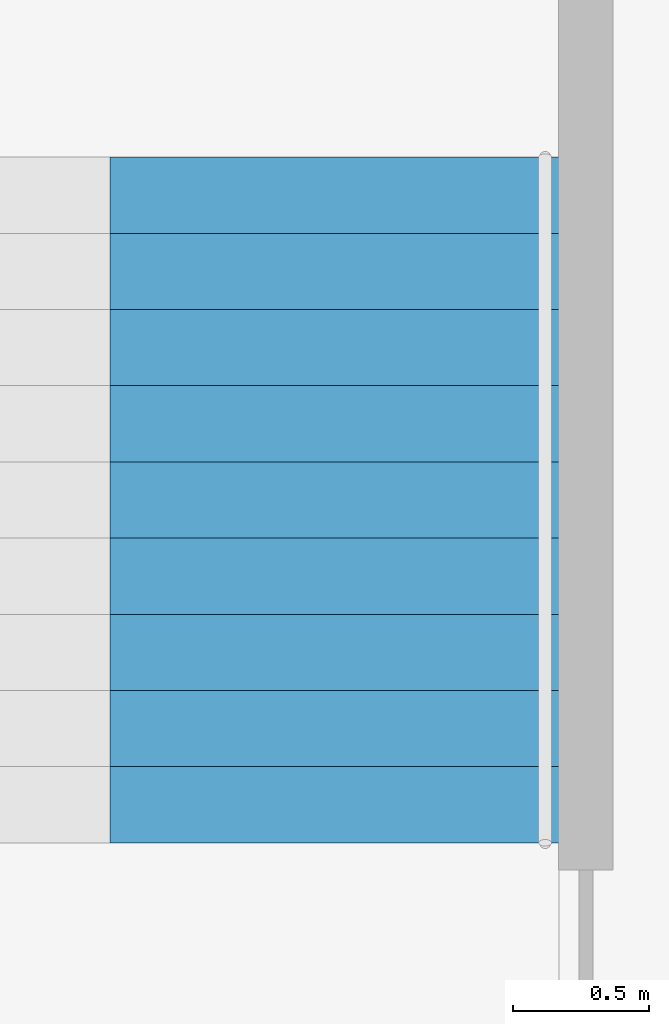
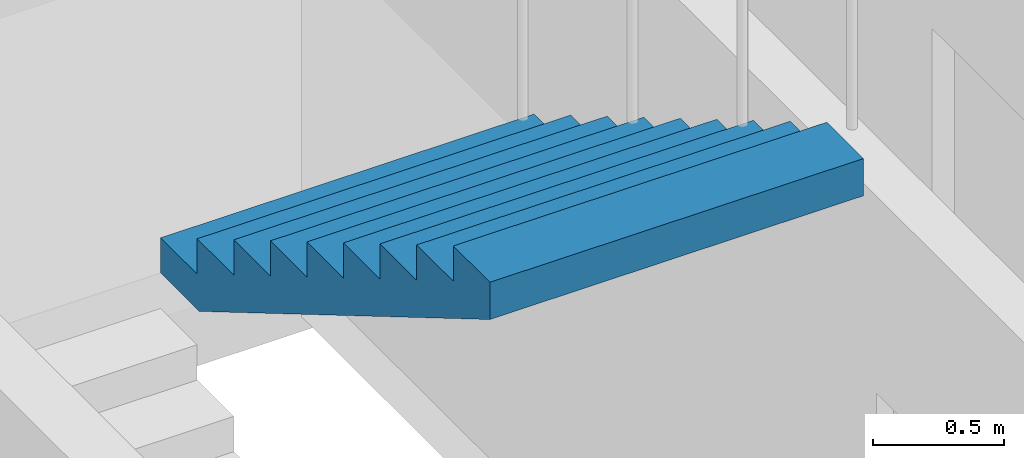
# One storey, part 9 of 12: 1 stair flight, 1 element without a shape of its own.
"""IFC4 building model written with IfcOpenShell, lengths in metres."""

from ifc_helpers import new_model, si_unit, direction, frame, origin, place, context, subcontext, project, spatial, polyline, outline, extrude, material, type_object, element, aggregate, save


model = new_model("IFC4")

# Units and contexts
model_context = context("Model", 3, precision=1e-05, world=origin(), true_north=direction((0.0, 1.0)))
body_context = subcontext(model_context, "Body", "Model", "MODEL_VIEW")
ifc_project = project(units=[si_unit("LENGTHUNIT", "METRE"), si_unit("AREAUNIT", "SQUARE_METRE"), si_unit("VOLUMEUNIT", "CUBIC_METRE"), si_unit("PLANEANGLEUNIT", "RADIAN"), si_unit("MASSUNIT", "GRAM", prefix="KILO")], contexts=[model_context])

# Site, building, storey
site_placement = place(None, origin())
site = spatial("IfcSite", under=ifc_project, at=site_placement, CompositionType="ELEMENT")
building_placement = place(site_placement, origin())
building = spatial("IfcBuilding", under=site, at=building_placement, Name="Taillehof Tower", CompositionType="ELEMENT")
storey_placement = place(building_placement, frame((0.0, 0.0, 233.300048828125)))
storey = spatial("IfcBuildingStorey", under=building, at=storey_placement, Name="L66", CompositionType="ELEMENT", Elevation=233.300048828125)

# Stair, stair flight
ifc_material_1 = material(Name="Concrete C40/50", Category="concrete")
stair_type = type_object("IfcStairType", Name="Exit stair half-turn", PredefinedType="HALF_TURN_STAIR", material=ifc_material_1)
stair_placement = place(storey_placement, origin())
stair = element("IfcStair", 1, at=stair_placement, inside=storey, type_object=stair_type, Name="Exit stair S3", PredefinedType="HALF_TURN_STAIR")
ifc_material_2 = material(Name="Concrete C40/50", Category="concrete")
stair_flight_type = type_object("IfcStairFlightType", Name="Stair flight 1650 riser 165.0 going 280", PredefinedType="STRAIGHT", material=ifc_material_2)
stair_flight_placement = place(storey_placement, frame((-11.77490234375, 11.969970703125, 1.64990234375), z_axis=(0.0, 0.0, 1.0), x_axis=(0.0, -1.0, 0.0)))
stair_flight = element("IfcStairFlight", 2, at=stair_flight_placement, type_object=stair_flight_type, Name="S3 flight 2", NumberOfRisers=10, NumberOfTreads=9, PredefinedType="STRAIGHT", RiserHeight=0.165, TreadLength=0.28, context=body_context, shape_type="SweptSolid", body=[
    extrude(outline(polyline([(0.0, 0.0), (0.0, 0.00537109375), (0.0, 0.0107421875), (0.0, 0.015869140625), (0.0, 0.021240234375), (0.0, 0.026611328125), (0.0, 0.031982421875), (0.0, 0.037353515625), (0.0, 0.04248046875), (0.0, 0.0478515625), (0.0, 0.05322265625), (0.0, 0.05859375), (0.0, 0.06396484375), (0.0, 0.069091796875), (0.0, 0.074462890625), (0.0, 0.079833984375), (0.0, 0.085205078125), (0.0, 0.090576171875), (0.0, 0.095703125), (0.0, 0.10107421875), (0.0, 0.1064453125), (0.0, 0.11181640625), (0.0, 0.1171875), (0.0, 0.122314453125), (0.0, 0.127685546875), (0.0, 0.133056640625), (0.0, 0.138427734375), (0.0, 0.143798828125), (0.0, 0.14892578125), (0.0, 0.154296875), (0.0, 0.15966796875), (0.0, 0.1650390625), (0.280029296875, 0.1650390625), (0.280029296875, 0.330078125), (0.56005859375, 0.330078125), (0.56005859375, 0.4951171875), (0.840087890625, 0.4951171875), (0.840087890625, 0.659912109375), (1.1201171875, 0.659912109375), (1.1201171875, 0.824951171875), (1.39990234375, 0.824951171875), (1.39990234375, 0.989990234375), (1.679931640625, 0.989990234375), (1.679931640625, 1.155029296875), (1.9599609375, 1.155029296875), (1.9599609375, 1.320068359375), (2.239990234375, 1.320068359375), (2.239990234375, 1.485107421875), (2.52001953125, 1.485107421875), (2.52001953125, 1.4794921875), (2.52001953125, 1.473876953125), (2.52001953125, 1.46826171875), (2.52001953125, 1.462646484375), (2.52001953125, 1.45703125), (2.52001953125, 1.451416015625), (2.52001953125, 1.44580078125), (2.52001953125, 1.440185546875), (2.52001953125, 1.4345703125), (2.52001953125, 1.428955078125), (2.52001953125, 1.42333984375), (2.52001953125, 1.417724609375), (2.52001953125, 1.412109375), (2.52001953125, 1.406494140625), (2.52001953125, 1.40087890625), (2.52001953125, 1.395263671875), (2.52001953125, 1.3896484375), (2.52001953125, 1.384033203125), (2.52001953125, 1.37841796875), (2.52001953125, 1.372802734375), (2.52001953125, 1.3671875), (2.52001953125, 1.361572265625), (2.52001953125, 1.35595703125), (2.52001953125, 1.350341796875), (2.52001953125, 1.3447265625), (2.52001953125, 1.339111328125), (2.52001953125, 1.33349609375), (2.52001953125, 1.327880859375), (2.52001953125, 1.322265625), (2.52001953125, 1.316650390625), (2.52001953125, 1.31103515625), (0.295166015625, 0.0), (0.0, 0.0)])), frame((0.0, 0.824951171875, 0.0), z_axis=(0.0, -1.0, 0.0), x_axis=(1.0, 0.0, 0.0)), (0.0, 0.0, 1.0), 1.65),
])
aggregate(stair, [stair_flight])

save(model, "model.ifc")
